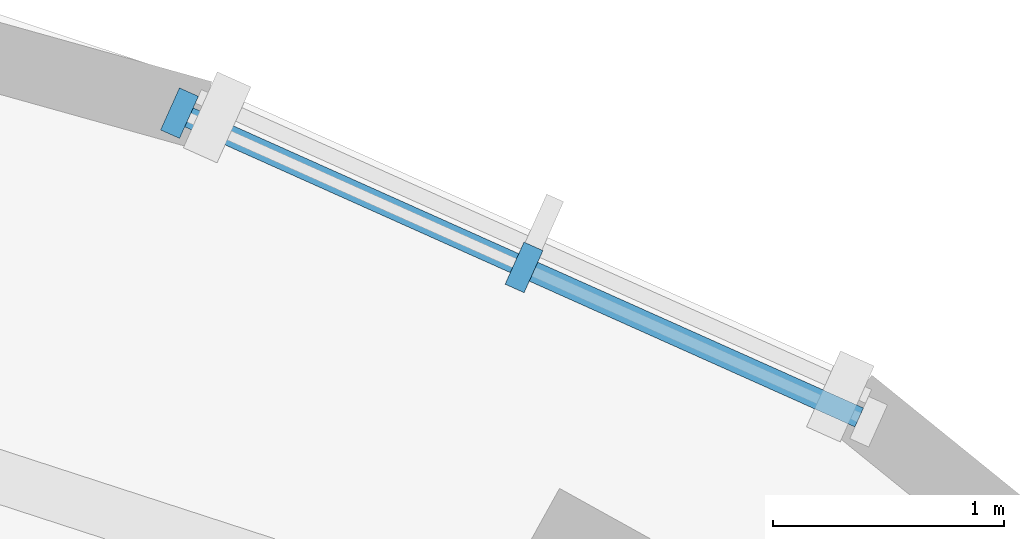
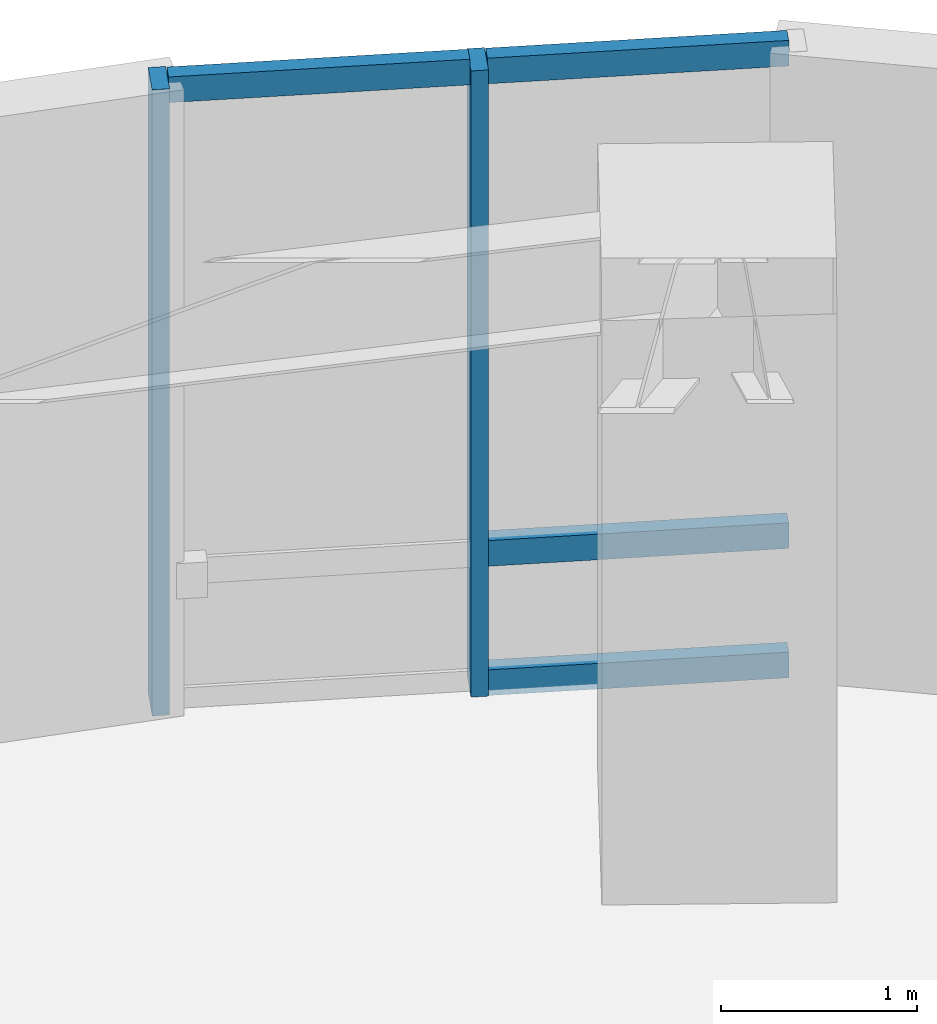
# One storey, part 5 of 14: 6 members, 1 element without a shape of its own.
"""IFC4 building model written with IfcOpenShell, lengths in metres."""

import ifcopenshell
import ifcopenshell.guid

model = None  # the IFC model being written
_history = None  # IfcOwnerHistory: only IFC2X3 demands one
_inside = {}  # id of a spatial element -> (the spatial element, [elements in it])
_under = {}  # id of a project, library or spatial element -> (it, [spatial elements below it])
_declared = {}  # id of a project -> (the project, [libraries it declares])
_typed = {}  # id of a type object -> (the type object, [elements of that type])
_made_of = {}  # id of a material, layer set ... -> (it, [elements and type objects made of it])


def new_model(schema):
    """Start an empty IFC model of exactly this schema.

    Asked for "IFC4X3", IfcOpenShell would pick the latest addendum, in which some entities
    have other attributes; the version numbers below select the first issue.
    IFC2X3 requires an IfcOwnerHistory on every rooted entity: one is made here for all.
    """
    global model, _history
    if schema == "IFC4X3":
        model = ifcopenshell.file(schema_version=(4, 3, 0, 0))
    else:
        model = ifcopenshell.file(schema=schema)
    _inside.clear()
    _under.clear()
    _declared.clear()
    _typed.clear()
    _made_of.clear()
    _history = None
    if model.schema == "IFC2X3":
        org = make("IfcOrganization", Name="unknown")
        user = make(
            "IfcPersonAndOrganization",
            ThePerson=make("IfcPerson", FamilyName="unknown"),
            TheOrganization=org,
        )
        app = make(
            "IfcApplication",
            ApplicationDeveloper=org,
            Version="unknown",
            ApplicationFullName="unknown",
            ApplicationIdentifier="unknown",
        )
        _history = make(
            "IfcOwnerHistory",
            OwningUser=user,
            OwningApplication=app,
            ChangeAction="ADDED",
            CreationDate=0,
        )
    return model


def make(cls, **values):
    """One entity of the class cls with the attributes given. An attribute that is None is left unset."""
    return model.create_entity(
        cls, **{name: value for name, value in values.items() if value is not None}
    )


def rooted(cls, **values):
    """An entity with a GlobalId (a new one), such as an element, a storey or a relation."""
    return make(cls, GlobalId=ifcopenshell.guid.new(), OwnerHistory=_history, **values)


def si_unit(unit_type, name, prefix=None):
    """IfcSIUnit, for example si_unit("LENGTHUNIT", "METRE", prefix="MILLI")."""
    return make("IfcSIUnit", UnitType=unit_type, Prefix=prefix, Name=name)


def assignment(units):
    """IfcUnitAssignment: the units of a project."""
    return None if units is None else make("IfcUnitAssignment", Units=units)


def point(xyz):
    """IfcCartesianPoint."""
    return None if xyz is None else make("IfcCartesianPoint", Coordinates=xyz)


def direction(xyz):
    """IfcDirection."""
    return None if xyz is None else make("IfcDirection", DirectionRatios=xyz)


def frame(location, z_axis=None, x_axis=None):
    """IfcAxis2Placement3D, a coordinate frame: its origin and axes. An axis left out is left unset."""
    return make(
        "IfcAxis2Placement3D",
        Location=point(location),
        Axis=direction(z_axis),
        RefDirection=direction(x_axis),
    )


def frame_2d(location, x_axis=None):
    """IfcAxis2Placement2D, a coordinate frame in the plane: its origin and x axis."""
    return make(
        "IfcAxis2Placement2D", Location=point(location), RefDirection=direction(x_axis)
    )


def origin():
    """The frame at (0, 0, 0) with its axes left unset."""
    return frame((0.0, 0.0, 0.0))


def origin_2d():
    """The frame at (0, 0) in the plane with its x axis left unset."""
    return frame_2d((0.0, 0.0))


def place(relative_to, where):
    """IfcLocalPlacement: puts the frame where relative to a parent placement (None: the world)."""
    return make(
        "IfcLocalPlacement", PlacementRelTo=relative_to, RelativePlacement=where
    )


def context(
    kind, dimensions, precision=None, world=None, true_north=None, identifier=None
):
    """IfcGeometricRepresentationContext, for example the 3D "Model" context."""
    return make(
        "IfcGeometricRepresentationContext",
        ContextIdentifier=identifier,
        ContextType=kind,
        CoordinateSpaceDimension=dimensions,
        Precision=precision,
        WorldCoordinateSystem=world,
        TrueNorth=true_north,
    )


def subcontext(parent, identifier, kind, view, scale=None):
    """IfcGeometricRepresentationSubContext, for example "Body" below "Model"."""
    return make(
        "IfcGeometricRepresentationSubContext",
        ContextIdentifier=identifier,
        ContextType=kind,
        ParentContext=parent,
        TargetScale=scale,
        TargetView=view,
    )


def project(units=None, contexts=None):
    """IfcProject with its units and contexts."""
    return rooted(
        "IfcProject",
        Name="project",
        RepresentationContexts=contexts,
        UnitsInContext=assignment(units),
    )


def spatial(cls, under=None, at=None, **own):
    """A site, building, storey or space (cls), placed at a placement, below another one or the project."""
    s = rooted(cls, ObjectPlacement=at, **own)
    if under is not None:
        _under.setdefault(under.id(), (under, []))[1].append(s)
    return s


def profile(cls, at=None, kind="AREA", **sizes):
    """A parametric profile (cls). Its sizes go by their IFC names, for example OverallWidth=200.0."""
    return make(cls, ProfileType=kind, Position=at, **sizes)


def rectangle(**sizes):
    """IfcRectangleProfileDef."""
    return profile("IfcRectangleProfileDef", **sizes)


def extrude(swept, where, along, depth):
    """IfcExtrudedAreaSolid: the profile swept, set in the frame where, extruded along a direction by depth."""
    return make(
        "IfcExtrudedAreaSolid",
        SweptArea=swept,
        Position=where,
        ExtrudedDirection=direction(along),
        Depth=depth,
    )


def shape(context_of_items, identifier, shape_type, items):
    """IfcShapeRepresentation: the items that make up one representation, for example the "Body"."""
    return make(
        "IfcShapeRepresentation",
        ContextOfItems=context_of_items,
        RepresentationIdentifier=identifier,
        RepresentationType=shape_type,
        Items=items,
    )


def material(Name=None, Category=None):
    """IfcMaterial."""
    return make("IfcMaterial", Name=Name, Category=Category)


def layer(
    of_material, thickness, ventilated=None, Name=None, Category=None, Priority=None
):
    """IfcMaterialLayer: one layer of a wall or slab, of a material (None: an air gap)."""
    return make(
        "IfcMaterialLayer",
        Material=of_material,
        LayerThickness=thickness,
        IsVentilated=ventilated,
        Name=Name,
        Category=Category,
        Priority=Priority,
    )


def layer_set(layers, Name=None):
    """IfcMaterialLayerSet."""
    return make("IfcMaterialLayerSet", MaterialLayers=layers, LayerSetName=Name)


def material_profile(
    of_material, cross_section, Name=None, Category=None, Priority=None
):
    """IfcMaterialProfile: a cross section and its material."""
    return make(
        "IfcMaterialProfile",
        Name=Name,
        Material=of_material,
        Profile=cross_section,
        Priority=Priority,
        Category=Category,
    )


def profile_set(profiles, Name=None, composite=None):
    """IfcMaterialProfileSet."""
    return make(
        "IfcMaterialProfileSet",
        Name=Name,
        MaterialProfiles=profiles,
        CompositeProfile=composite,
    )


def made_of(thing, what):
    """Note that an element or type object is made of a material, layer set ...; save() writes the relation."""
    if what is not None:
        _made_of.setdefault(what.id(), (what, []))[1].append(thing)
    return thing


def type_object(cls, material=None, **own):
    """A type object (cls), such as IfcWallType, which elements share."""
    return made_of(rooted(cls, **own), material)


def element(
    cls,
    number,
    at=None,
    inside=None,
    cuts=None,
    type_object=None,
    material=None,
    context=None,
    identifier="Body",
    shape_type=None,
    held_by="IfcProductDefinitionShape",
    body=None,
    shapes=None,
    **own,
):
    """One element of the class cls, such as IfcWall. Its Tag is "e" and its number.

    at: its placement. inside: the storey or other place that contains it. cuts: it is an
    opening in that element (IfcRelVoidsElement). A single representation is given by context,
    identifier, shape_type and body (its items); several are given by shapes. held_by: the class
    of the entity that holds the representations. save() writes the other relations.
    """
    e = rooted(cls, Tag="e%d" % number, ObjectPlacement=at, **own)
    if body is not None:
        shapes = [shape(context, identifier, shape_type, body)]
    if shapes is not None:
        e.Representation = make(held_by, Representations=shapes)
    if inside is not None:
        _inside.setdefault(inside.id(), (inside, []))[1].append(e)
    if cuts is not None:
        rooted(
            "IfcRelVoidsElement", RelatingBuildingElement=cuts, RelatedOpeningElement=e
        )
    if type_object is not None:
        _typed.setdefault(type_object.id(), (type_object, []))[1].append(e)
    return made_of(e, material)


def aggregate(whole, parts):
    """IfcRelAggregates: a whole, such as a stair, and the parts it consists of."""
    return rooted("IfcRelAggregates", RelatingObject=whole, RelatedObjects=parts)


def save(model, path):
    """Write the relations noted so far, then the file.

    IfcRelAggregates (storeys below a building ...), IfcRelContainedInSpatialStructure (elements
    in a storey), IfcRelDefinesByType, IfcRelAssociatesMaterial and IfcRelDeclares: one each for
    every whole, place, type object, material and project.
    """
    for whole, parts in _under.values():
        aggregate(whole, parts)
    for where, things in _inside.values():
        rooted(
            "IfcRelContainedInSpatialStructure",
            RelatedElements=things,
            RelatingStructure=where,
        )
    for kind, things in _typed.values():
        rooted("IfcRelDefinesByType", RelatedObjects=things, RelatingType=kind)
    for what, things in _made_of.values():
        rooted("IfcRelAssociatesMaterial", RelatedObjects=things, RelatingMaterial=what)
    for by, libraries in _declared.values():
        rooted("IfcRelDeclares", RelatingContext=by, RelatedDefinitions=libraries)
    model.write(path)


model = new_model("IFC4")

# Units and contexts
model_context = context("Model", 3, precision=1e-05, world=origin(), true_north=direction((0.0, 1.0)))
body_context = subcontext(model_context, "Body", "Model", "MODEL_VIEW")
ifc_project = project(units=[si_unit("LENGTHUNIT", "METRE"), si_unit("AREAUNIT", "SQUARE_METRE"), si_unit("VOLUMEUNIT", "CUBIC_METRE"), si_unit("PLANEANGLEUNIT", "RADIAN"), si_unit("MASSUNIT", "GRAM", prefix="KILO")], contexts=[model_context])

# Site, building, storey
site_placement = place(None, origin())
site = spatial("IfcSite", under=ifc_project, at=site_placement, CompositionType="ELEMENT")
building_placement = place(site_placement, origin())
building = spatial("IfcBuilding", under=site, at=building_placement, Name="Korentha Bioscience Tower", CompositionType="ELEMENT")
storey_placement = place(building_placement, frame((0.0, 0.0, 90.0)))
storey = spatial("IfcBuildingStorey", under=building, at=storey_placement, Name="L20", CompositionType="ELEMENT", Elevation=90.0)

# Curtain wall, members
ifc_material_1 = material(Name="Thermally Broken Aluminium Frame", Category="aluminium")
ifc_layer = layer(ifc_material_1, 0.219970703125, Name="Thermally Broken Aluminium Frame")
ifc_layer_set = layer_set([ifc_layer], Name="Thermally Broken Aluminium Frame (CW-T2)")
curtain_wall_type = type_object("IfcCurtainWallType", Name="Solar-Screened Lab Unitised Curtain Wall CW-T2", PredefinedType="USERDEFINED", material=ifc_layer_set)
curtain_wall_placement = place(storey_placement, origin())
curtain_wall = element("IfcCurtainWall", 1, at=curtain_wall_placement, inside=storey, type_object=curtain_wall_type, Name="L20 Curtain Wall 01", ObjectType="UNITISED", PredefinedType="USERDEFINED")
ifc_material_2 = material(Name="Anodised Aluminium 6063-T6", Category="aluminium")
ifc_material_profile_1 = material_profile(ifc_material_2, rectangle(XDim=0.090087890625, YDim=0.199951171875, at=origin_2d()), Name="Anodised Aluminium 6063-T6")
ifc_profile_set_1 = profile_set([ifc_material_profile_1], Name="Anodised Aluminium 6063-T6 (CW-MUL)")
member_type_1 = type_object("IfcMemberType", Name="Mullion RECT 90x200", PredefinedType="MULLION", material=ifc_profile_set_1)
member_1_placement = place(storey_placement, frame((48.871337890625, 45.72021484375, 0.0), z_axis=(0.0, 0.0, 1.0), x_axis=(-0.912686563127, 0.408660295952, 0.0)))
member_1 = element("IfcMember", 2, at=member_1_placement, type_object=member_type_1, Name="CW-L20-01 Mullion 2", PredefinedType="MULLION", context=body_context, shape_type="SweptSolid", body=[
    extrude(rectangle(XDim=0.090087890625, YDim=0.199951171875, at=origin_2d()), origin(), (0.0, 0.0, 1.0), 3.89990234375),
])
member_2_placement = place(storey_placement, frame((47.37890625, 46.388427734375, 0.0), z_axis=(0.0, 0.0, 1.0), x_axis=(-0.912686563127, 0.408660295952, 0.0)))
member_2 = element("IfcMember", 3, at=member_2_placement, type_object=member_type_1, Name="CW-L20-01 Mullion 3", PredefinedType="MULLION", context=body_context, shape_type="SweptSolid", body=[
    extrude(rectangle(XDim=0.090087890625, YDim=0.199951171875, at=origin_2d()), origin(), (0.0, 0.0, 1.0), 3.89990234375),
])
ifc_material_profile_2 = material_profile(ifc_material_2, rectangle(XDim=0.090087890625, YDim=0.159912109375, at=origin_2d()), Name="Anodised Aluminium 6063-T6")
ifc_profile_set_2 = profile_set([ifc_material_profile_2], Name="Anodised Aluminium 6063-T6 (CW-TRN)")
member_type_2 = type_object("IfcMemberType", Name="Transom RECT 90x160", PredefinedType="USERDEFINED", material=ifc_profile_set_2)
member_3_placement = place(storey_placement, frame((50.322998046875, 45.0703125, 0.044921875), z_axis=(-0.912753156119, 0.408511537162, 0.0), x_axis=(-0.408511537162, -0.912753156119, 0.0)))
member_3 = element("IfcMember", 4, at=member_3_placement, type_object=member_type_2, Name="CW-L20-01 Bay 1 Transom 1", ObjectType="TRANSOM", PredefinedType="USERDEFINED", context=body_context, shape_type="SweptSolid", body=[
    extrude(rectangle(XDim=0.090087890625, YDim=0.159912109375, at=origin_2d()), origin(), (0.0, 0.0, 1.0), 1.54541015625),
])
member_4_placement = place(storey_placement, frame((50.322998046875, 45.0703125, 0.85009765625), z_axis=(-0.912753156119, 0.408511537162, 0.0), x_axis=(-0.408511537162, -0.912753156119, 0.0)))
member_4 = element("IfcMember", 5, at=member_4_placement, type_object=member_type_2, Name="CW-L20-01 Bay 1 Transom 2", ObjectType="TRANSOM", PredefinedType="USERDEFINED", context=body_context, shape_type="SweptSolid", body=[
    extrude(rectangle(XDim=0.090087890625, YDim=0.159912109375, at=origin_2d()), origin(), (0.0, 0.0, 1.0), 1.54541015625),
])
member_5_placement = place(storey_placement, frame((50.322998046875, 45.0703125, 3.85498046875), z_axis=(-0.912753156119, 0.408511537162, 0.0), x_axis=(-0.408511537162, -0.912753156119, 0.0)))
member_5 = element("IfcMember", 6, at=member_5_placement, type_object=member_type_2, Name="CW-L20-01 Bay 1 Transom 3", ObjectType="TRANSOM", PredefinedType="USERDEFINED", context=body_context, shape_type="SweptSolid", body=[
    extrude(rectangle(XDim=0.090087890625, YDim=0.159912109375, at=origin_2d()), origin(), (0.0, 0.0, 1.0), 1.54541015625),
])
member_6_placement = place(storey_placement, frame((48.830322265625, 45.738525390625, 3.85498046875), z_axis=(-0.912667864607, 0.408702053962, 0.0), x_axis=(-0.408702053962, -0.912667864607, 0.0)))
member_6 = element("IfcMember", 7, at=member_6_placement, type_object=member_type_2, Name="CW-L20-01 Bay 2 Transom 3", ObjectType="TRANSOM", PredefinedType="USERDEFINED", context=body_context, shape_type="SweptSolid", body=[
    extrude(rectangle(XDim=0.090087890625, YDim=0.159912109375, at=origin_2d()), origin(), (0.0, 0.0, 1.0), 1.54541015625),
])
aggregate(curtain_wall, [member_1, member_2, member_3, member_4, member_5, member_6])

save(model, "model.ifc")
